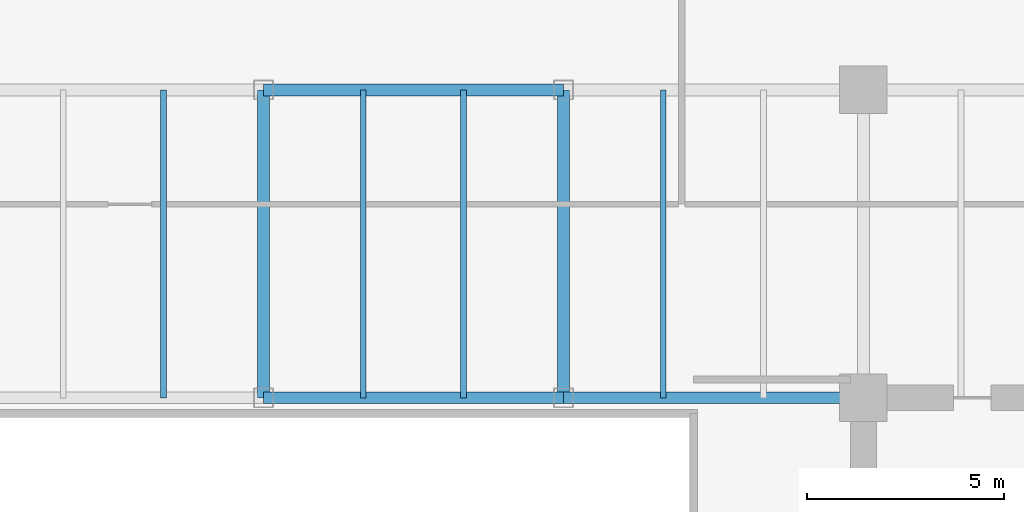
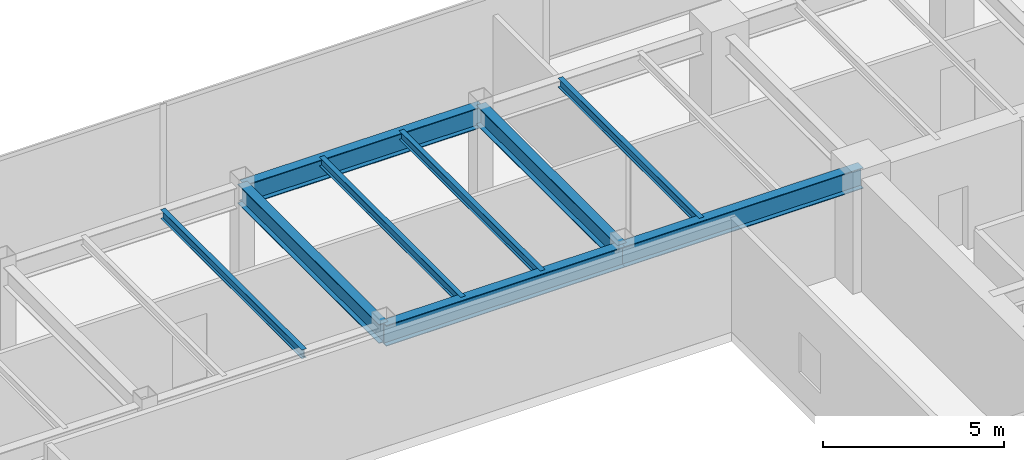
# One storey, part 17 of 30: 9 beams.
"""IFC4 building model written with IfcOpenShell, lengths in metres."""

from ifc_helpers import new_model, si_unit, direction, frame, origin, origin_2d, place, context, subcontext, project, spatial, i_section, extrude, source, transform, mapped, material, material_profile, profile_set, type_object, type_shapes, element, save


model = new_model("IFC4")

# Units and contexts
model_context = context("Model", 3, precision=1e-05, world=origin(), true_north=direction((0.0, 1.0)))
body_context = subcontext(model_context, "Body", "Model", "MODEL_VIEW")
ifc_project = project(units=[si_unit("LENGTHUNIT", "METRE"), si_unit("AREAUNIT", "SQUARE_METRE"), si_unit("VOLUMEUNIT", "CUBIC_METRE"), si_unit("PLANEANGLEUNIT", "RADIAN"), si_unit("MASSUNIT", "GRAM", prefix="KILO")], contexts=[model_context])

# Site, building, storey
site_placement = place(None, origin())
site = spatial("IfcSite", under=ifc_project, at=site_placement, CompositionType="ELEMENT")
building_placement = place(site_placement, origin())
building = spatial("IfcBuilding", under=site, at=building_placement, Name="Haelvirn Gate Laboratories", CompositionType="ELEMENT")
storey_placement = place(building_placement, frame((0.0, 0.0, 129.699951171875)))
storey = spatial("IfcBuildingStorey", under=building, at=storey_placement, Name="L31", CompositionType="ELEMENT", Elevation=129.699951171875)

# Beams
ifc_material = material(Name="Steel SM355", Category="steel")
ifc_material_profile_1 = material_profile(ifc_material, i_section(OverallWidth=0.300048828125, OverallDepth=0.64990234375, WebThickness=0.012939453125, FlangeThickness=0.02197265625, at=origin_2d()), Name="H-650x300x13x22")
ifc_profile_set_1 = profile_set([ifc_material_profile_1], Name="Steel SM355")
beam_type_1 = type_object("IfcBeamType", Name="BM-G-650", PredefinedType="BEAM", material=ifc_profile_set_1)
shared_shape_1 = source(origin(), body_context, "Body", "SweptSolid", [
    extrude(i_section(OverallWidth=0.300048828125, OverallDepth=0.64990234375, WebThickness=0.012939453125, FlangeThickness=0.02197265625, at=origin_2d()), origin(), (0.0, 0.0, 1.0), 7.800048828125),
])
type_shapes(beam_type_1, [shared_shape_1])
for number, where, z_axis, x_axis, name in (
    (1, (37.39990234375, 33.800048828125, 3.465087890625), (0.0, 1.0, 0.0), (-1.0, 0.0, 0.0), "L31 Frame Girder X37.4 (33.8-41.6)"),
    (2, (45.0, 33.800048828125, 3.465087890625), (0.0, 1.0, 0.0), (-1.0, 0.0, 0.0), "L31 Frame Girder X45.0 (33.8-41.6)"),
):
    element("IfcBeam", number, at=place(storey_placement, frame(where, z_axis=z_axis, x_axis=x_axis)), inside=storey, type_object=beam_type_1, Name=name, PredefinedType="BEAM", context=body_context, shape_type="MappedRepresentation", body=[
        mapped(shared_shape_1, transform((0.0, 0.0, 0.0), scale=1.0)),
    ])
ifc_material_profile_2 = material_profile(ifc_material, i_section(OverallWidth=0.300048828125, OverallDepth=0.699951171875, WebThickness=0.012939453125, FlangeThickness=0.02392578125, at=origin_2d()), Name="H-700x300x13x24")
ifc_profile_set_2 = profile_set([ifc_material_profile_2], Name="Steel SM355")
beam_type_2 = type_object("IfcBeamType", Name="BM-G-700", PredefinedType="BEAM", material=ifc_profile_set_2)
shared_shape_2 = source(origin(), body_context, "Body", "SweptSolid", [
    extrude(i_section(OverallWidth=0.300048828125, OverallDepth=0.699951171875, WebThickness=0.012939453125, FlangeThickness=0.02392578125, at=origin_2d()), origin(), (0.0, 0.0, 1.0), 7.60009765625),
])
type_shapes(beam_type_2, [shared_shape_2])
for number, where, z_axis, x_axis, name in (
    (3, (37.39990234375, 33.800048828125, 3.43994140625), (1.0, 0.0, 0.0), (0.0, 1.0, 0.0), "L31 Primary Girder Y33.8 (37.4-45.0)"),
    (4, (45.0, 33.800048828125, 3.43994140625), (1.0, 0.0, 0.0), (0.0, 1.0, 0.0), "L31 Primary Girder Y33.8 (45.0-52.6)"),
    (5, (37.39990234375, 41.60009765625, 3.43994140625), (1.0, 0.0, 0.0), (0.0, 1.0, 0.0), "L31 Primary Girder Y41.6 (37.4-45.0)"),
):
    element("IfcBeam", number, at=place(storey_placement, frame(where, z_axis=z_axis, x_axis=x_axis)), inside=storey, type_object=beam_type_2, Name=name, PredefinedType="BEAM", context=body_context, shape_type="MappedRepresentation", body=[
        mapped(shared_shape_2, transform((0.0, 0.0, 0.0), scale=1.0)),
    ])
ifc_material_profile_3 = material_profile(ifc_material, i_section(OverallWidth=0.14990234375, OverallDepth=0.300048828125, WebThickness=0.006591796875, FlangeThickness=0.009033203125, at=origin_2d()), Name="H-300x150x6.5x9")
ifc_profile_set_3 = profile_set([ifc_material_profile_3], Name="Steel SM355")
beam_type_3 = type_object("IfcBeamType", Name="BM-J-300", PredefinedType="JOIST", material=ifc_profile_set_3)
shared_shape_3 = source(origin(), body_context, "Body", "SweptSolid", [
    extrude(i_section(OverallWidth=0.14990234375, OverallDepth=0.300048828125, WebThickness=0.006591796875, FlangeThickness=0.009033203125, at=origin_2d()), origin(), (0.0, 0.0, 1.0), 7.800048828125),
])
type_shapes(beam_type_3, [shared_shape_3])
for number, where, z_axis, x_axis, name in (
    (6, (34.8701171875, 33.800048828125, 3.64013671875), (0.0, 1.0, 0.0), (-1.0, 0.0, 0.0), "L31 Composite Lab Joist North X34.87"),
    (7, (39.929931640625, 33.800048828125, 3.64013671875), (0.0, 1.0, 0.0), (-1.0, 0.0, 0.0), "L31 Composite Lab Joist North X39.93"),
    (8, (42.469970703125, 33.800048828125, 3.64013671875), (0.0, 1.0, 0.0), (-1.0, 0.0, 0.0), "L31 Composite Lab Joist North X42.47"),
    (9, (47.530029296875, 33.800048828125, 3.64013671875), (0.0, 1.0, 0.0), (-1.0, 0.0, 0.0), "L31 Composite Lab Joist North X47.53"),
):
    element("IfcBeam", number, at=place(storey_placement, frame(where, z_axis=z_axis, x_axis=x_axis)), inside=storey, type_object=beam_type_3, Name=name, PredefinedType="JOIST", context=body_context, shape_type="MappedRepresentation", body=[
        mapped(shared_shape_3, transform((0.0, 0.0, 0.0), scale=1.0)),
    ])

save(model, "model.ifc")
